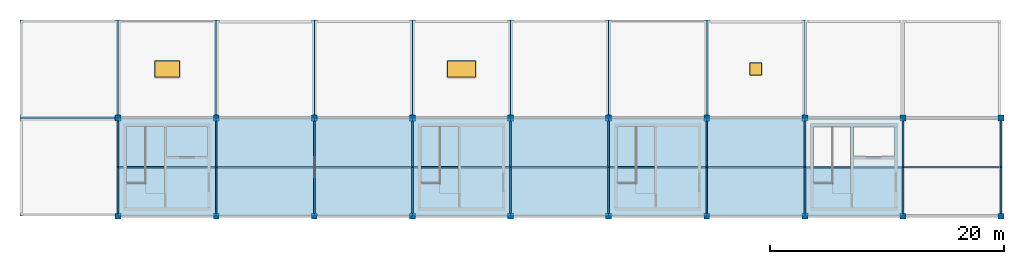
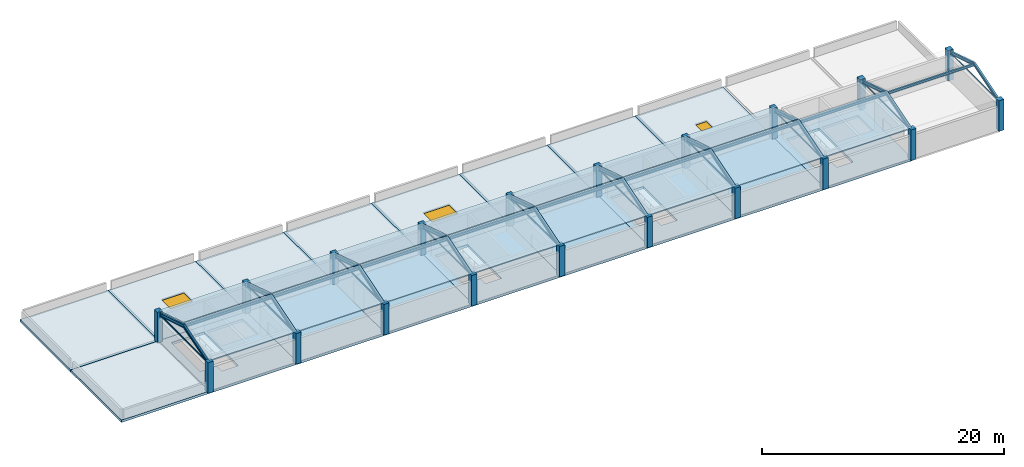
# One storey, part 1 of 4: 32 slabs, 29 beams, 20 columns, 10 members, 3 windows, 3 openings.
"""IFC4 building model written with IfcOpenShell, lengths in metres."""

from ifc_helpers import new_model, si_unit, direction, frame, origin, origin_2d, place, context, subcontext, project, spatial, polyline, rectangle, hollow_circle, i_section, outline, extrude, material, layer, layer_set, material_profile, profile_set, type_object, element, fill, save


model = new_model("IFC4")

# Units and contexts
model_context = context("Model", 3, precision=1e-05, world=origin(), true_north=direction((0.0, 1.0)))
body_context = subcontext(model_context, "Body", "Model", "MODEL_VIEW")
ifc_project = project(units=[si_unit("LENGTHUNIT", "METRE"), si_unit("AREAUNIT", "SQUARE_METRE"), si_unit("VOLUMEUNIT", "CUBIC_METRE"), si_unit("PLANEANGLEUNIT", "RADIAN"), si_unit("MASSUNIT", "GRAM", prefix="KILO")], contexts=[model_context])

# Site, building, storey
site_placement = place(None, origin())
site = spatial("IfcSite", under=ifc_project, at=site_placement, CompositionType="ELEMENT")
building_placement = place(site_placement, origin())
building = spatial("IfcBuilding", under=site, at=building_placement, Name="Porcellanite Civic Hall", CompositionType="ELEMENT")
storey_placement = place(building_placement, frame((0.0, 0.0, 27.719970703125)))
storey = spatial("IfcBuildingStorey", under=building, at=storey_placement, Name="RF", CompositionType="ELEMENT", Elevation=27.719970703125)

# Columns
ifc_material_1 = material(Name="Concrete N50 (50 MPa)", Category="concrete")
ifc_material_profile_1 = material_profile(ifc_material_1, rectangle(XDim=0.5, YDim=0.5, at=origin_2d()), Name="RC-500x500")
ifc_profile_set_1 = profile_set([ifc_material_profile_1], Name="Concrete N50 (50 MPa)")
column_type = type_object("IfcColumnType", Name="COL-500", PredefinedType="COLUMN", material=ifc_profile_set_1)
for number, where, z_axis, x_axis, name in (
    (1, (50.39990234375, 100.800048828125, 0.0), (0.0, 0.0, 1.0), (1.0, 0.0, 0.0), "Column RF 6-12"),
    (2, (50.39990234375, 109.199951171875, 0.0), (0.0, 0.0, 1.0), (1.0, 0.0, 0.0), "Column RF 6-13"),
    (3, (58.800048828125, 100.800048828125, 0.0), (0.0, 0.0, 1.0), (1.0, 0.0, 0.0), "Column RF 7-12"),
    (4, (58.800048828125, 109.199951171875, 0.0), (0.0, 0.0, 1.0), (1.0, 0.0, 0.0), "Column RF 7-13"),
    (5, (67.199951171875, 100.800048828125, 0.0), (0.0, 0.0, 1.0), (1.0, 0.0, 0.0), "Column RF 8-12"),
    (6, (67.199951171875, 109.199951171875, 0.0), (0.0, 0.0, 1.0), (1.0, 0.0, 0.0), "Column RF 8-13"),
    (7, (75.60009765625, 100.800048828125, 0.0), (0.0, 0.0, 1.0), (1.0, 0.0, 0.0), "Column RF 9-12"),
    (8, (75.60009765625, 109.199951171875, 0.0), (0.0, 0.0, 1.0), (1.0, 0.0, 0.0), "Column RF 9-13"),
    (9, (84.0, 100.800048828125, 0.0), (0.0, 0.0, 1.0), (1.0, 0.0, 0.0), "Column RF 10-12"),
    (10, (84.0, 109.199951171875, 0.0), (0.0, 0.0, 1.0), (1.0, 0.0, 0.0), "Column RF 10-13"),
    (11, (92.39990234375, 100.800048828125, 0.0), (0.0, 0.0, 1.0), (1.0, 0.0, 0.0), "Column RF 11-12"),
    (12, (92.39990234375, 109.199951171875, 0.0), (0.0, 0.0, 1.0), (1.0, 0.0, 0.0), "Column RF 11-13"),
    (13, (100.800048828125, 100.800048828125, 0.0), (0.0, 0.0, 1.0), (1.0, 0.0, 0.0), "Column RF 12-12"),
    (14, (100.800048828125, 109.199951171875, 0.0), (0.0, 0.0, 1.0), (1.0, 0.0, 0.0), "Column RF 12-13"),
    (15, (109.199951171875, 100.800048828125, 0.0), (0.0, 0.0, 1.0), (1.0, 0.0, 0.0), "Column RF 13-12"),
    (16, (109.199951171875, 109.199951171875, 0.0), (0.0, 0.0, 1.0), (1.0, 0.0, 0.0), "Column RF 13-13"),
    (17, (117.60009765625, 100.800048828125, 0.0), (0.0, 0.0, 1.0), (1.0, 0.0, 0.0), "Column RF 14-12"),
    (18, (117.60009765625, 109.199951171875, 0.0), (0.0, 0.0, 1.0), (1.0, 0.0, 0.0), "Column RF 14-13"),
    (19, (126.0, 100.800048828125, 0.0), (0.0, 0.0, 1.0), (1.0, 0.0, 0.0), "Column RF 15-12"),
    (20, (126.0, 109.199951171875, 0.0), (0.0, 0.0, 1.0), (1.0, 0.0, 0.0), "Column RF 15-13"),
):
    element("IfcColumn", number, at=place(storey_placement, frame(where, z_axis=z_axis, x_axis=x_axis)), inside=storey, type_object=column_type, Name=name, PredefinedType="COLUMN", context=body_context, shape_type="SweptSolid", body=[
        extrude(rectangle(XDim=0.5, YDim=0.5, at=origin_2d()), origin(), (0.0, 0.0, 1.0), 3.090087890625),
    ])

# Beams
ifc_material_2 = material(Name="Steel Grade 350", Category="steel")
ifc_material_profile_2 = material_profile(ifc_material_2, i_section(OverallWidth=0.1650390625, OverallDepth=0.303955078125, WebThickness=0.006103515625, FlangeThickness=0.01025390625, FilletRadius=0.011474609375, at=origin_2d()), Name="310UB40.4")
ifc_profile_set_2 = profile_set([ifc_material_profile_2], Name="Steel Grade 350")
beam_type_1 = type_object("IfcBeamType", Name="BM-EV2", PredefinedType="BEAM", material=ifc_profile_set_2)
for number, where, z_axis, x_axis, name in (
    (21, (50.39990234375, 100.800048828125, 2.748779296875), (0.0, 0.955234715516, 0.29584901263), (-1.0, 0.0, 0.0), "RF plant south rafter 6"),
    (22, (50.39990234375, 105.0, 4.049560546875), (0.0, 0.955234715516, -0.29584901263), (-1.0, 0.0, 0.0), "RF plant north rafter 6"),
    (23, (58.800048828125, 100.800048828125, 2.748779296875), (0.0, 0.955234715516, 0.29584901263), (-1.0, 0.0, 0.0), "RF plant south rafter 7"),
    (24, (58.800048828125, 105.0, 4.049560546875), (0.0, 0.955234715516, -0.29584901263), (-1.0, 0.0, 0.0), "RF plant north rafter 7"),
    (25, (67.199951171875, 100.800048828125, 2.748779296875), (0.0, 0.955234715516, 0.29584901263), (-1.0, 0.0, 0.0), "RF plant south rafter 8"),
    (26, (67.199951171875, 105.0, 4.049560546875), (0.0, 0.955234715516, -0.29584901263), (-1.0, 0.0, 0.0), "RF plant north rafter 8"),
    (27, (75.60009765625, 100.800048828125, 2.748779296875), (0.0, 0.955234715516, 0.29584901263), (-1.0, 0.0, 0.0), "RF plant south rafter 9"),
    (28, (75.60009765625, 105.0, 4.049560546875), (0.0, 0.955234715516, -0.29584901263), (-1.0, 0.0, 0.0), "RF plant north rafter 9"),
    (29, (84.0, 100.800048828125, 2.748779296875), (0.0, 0.955234715516, 0.29584901263), (-1.0, 0.0, 0.0), "RF plant south rafter 10"),
    (30, (84.0, 105.0, 4.049560546875), (0.0, 0.955234715516, -0.29584901263), (-1.0, 0.0, 0.0), "RF plant north rafter 10"),
    (31, (92.39990234375, 100.800048828125, 2.748779296875), (0.0, 0.955234715516, 0.29584901263), (-1.0, 0.0, 0.0), "RF plant south rafter 11"),
    (32, (92.39990234375, 105.0, 4.049560546875), (0.0, 0.955234715516, -0.29584901263), (-1.0, 0.0, 0.0), "RF plant north rafter 11"),
    (33, (100.800048828125, 100.800048828125, 2.748779296875), (0.0, 0.955234715516, 0.29584901263), (-1.0, 0.0, 0.0), "RF plant south rafter 12"),
    (34, (100.800048828125, 105.0, 4.049560546875), (0.0, 0.955234715516, -0.29584901263), (-1.0, 0.0, 0.0), "RF plant north rafter 12"),
    (35, (109.199951171875, 100.800048828125, 2.748779296875), (0.0, 0.955234715516, 0.29584901263), (-1.0, 0.0, 0.0), "RF plant south rafter 13"),
    (36, (109.199951171875, 105.0, 4.049560546875), (0.0, 0.955234715516, -0.29584901263), (-1.0, 0.0, 0.0), "RF plant north rafter 13"),
    (37, (117.60009765625, 100.800048828125, 2.748779296875), (0.0, 0.955234715516, 0.29584901263), (-1.0, 0.0, 0.0), "RF plant south rafter 14"),
    (38, (117.60009765625, 105.0, 4.049560546875), (0.0, 0.955234715516, -0.29584901263), (-1.0, 0.0, 0.0), "RF plant north rafter 14"),
    (39, (126.0, 100.800048828125, 2.748779296875), (0.0, 0.955234715516, 0.29584901263), (-1.0, 0.0, 0.0), "RF plant south rafter 15"),
    (40, (126.0, 105.0, 4.049560546875), (0.0, 0.955234715516, -0.29584901263), (-1.0, 0.0, 0.0), "RF plant north rafter 15"),
):
    element("IfcBeam", number, at=place(storey_placement, frame(where, z_axis=z_axis, x_axis=x_axis)), inside=storey, type_object=beam_type_1, Name=name, PredefinedType="BEAM", context=body_context, shape_type="SweptSolid", body=[
        extrude(i_section(OverallWidth=0.1650390625, OverallDepth=0.303955078125, WebThickness=0.006103515625, FlangeThickness=0.01025390625, FilletRadius=0.011474609375, at=origin_2d()), origin(), (0.0, 0.0, 1.0), 4.396728515625),
    ])

# Members
ifc_material_3 = material(Name="Steel C350L0", Category="steel")
ifc_material_profile_3 = material_profile(ifc_material_3, hollow_circle(Radius=0.05712890625, WallThickness=0.006103515625, at=origin_2d()), Name="114.3x6.0CHS")
ifc_profile_set_3 = profile_set([ifc_material_profile_3], Name="Steel C350L0")
member_type = type_object("IfcMemberType", Name="BRC-114CHS", PredefinedType="BRACE", material=ifc_profile_set_3)
for number, where, z_axis, x_axis, name in (
    (41, (50.39990234375, 101.06005859375, 2.748779296875), (0.0, 1.0, 0.0), (-1.0, 0.0, 0.0), "RF plant tie 6"),
    (42, (58.800048828125, 101.06005859375, 2.748779296875), (0.0, 1.0, 0.0), (-1.0, 0.0, 0.0), "RF plant tie 7"),
    (43, (67.199951171875, 101.06005859375, 2.748779296875), (0.0, 1.0, 0.0), (-1.0, 0.0, 0.0), "RF plant tie 8"),
    (44, (75.60009765625, 101.06005859375, 2.748779296875), (0.0, 1.0, 0.0), (-1.0, 0.0, 0.0), "RF plant tie 9"),
    (45, (84.0, 101.06005859375, 2.748779296875), (0.0, 1.0, 0.0), (-1.0, 0.0, 0.0), "RF plant tie 10"),
    (46, (92.39990234375, 101.06005859375, 2.748779296875), (0.0, 1.0, 0.0), (-1.0, 0.0, 0.0), "RF plant tie 11"),
    (47, (100.800048828125, 101.06005859375, 2.748779296875), (0.0, 1.0, 0.0), (-1.0, 0.0, 0.0), "RF plant tie 12"),
    (48, (109.199951171875, 101.06005859375, 2.748779296875), (0.0, 1.0, 0.0), (-1.0, 0.0, 0.0), "RF plant tie 13"),
    (49, (117.60009765625, 101.06005859375, 2.748779296875), (0.0, 1.0, 0.0), (-1.0, 0.0, 0.0), "RF plant tie 14"),
    (50, (126.0, 101.06005859375, 2.748779296875), (0.0, 1.0, 0.0), (-1.0, 0.0, 0.0), "RF plant tie 15"),
):
    element("IfcMember", number, at=place(storey_placement, frame(where, z_axis=z_axis, x_axis=x_axis)), inside=storey, type_object=member_type, Name=name, PredefinedType="BRACE", context=body_context, shape_type="SweptSolid", body=[
        extrude(hollow_circle(Radius=0.05712890625, WallThickness=0.006103515625, at=origin_2d()), origin(), (0.0, 0.0, 1.0), 7.8798828125),
    ])

# Beams
ifc_material_4 = material(Name="Steel Grade 350", Category="steel")
ifc_material_profile_4 = material_profile(ifc_material_4, i_section(OverallWidth=0.14599609375, OverallDepth=0.256103515625, WebThickness=0.00634765625, FlangeThickness=0.010986328125, FilletRadius=0.0087890625, at=origin_2d()), Name="250UB37.3")
ifc_profile_set_4 = profile_set([ifc_material_profile_4], Name="Steel Grade 350")
beam_type_2 = type_object("IfcBeamType", Name="LN-250UB37", PredefinedType="LINTEL", material=ifc_profile_set_4)
beam_1_placement = place(storey_placement, frame((50.5, 105.0, 4.029541015625), z_axis=(1.0, 0.0, 0.0), x_axis=(0.0, 1.0, 0.0)))
element("IfcBeam", 51, at=beam_1_placement, inside=storey, type_object=beam_type_2, Name="RF plant ridge beam 6", PredefinedType="LINTEL", context=body_context, shape_type="SweptSolid", body=[
    extrude(i_section(OverallWidth=0.14599609375, OverallDepth=0.256103515625, WebThickness=0.00634765625, FlangeThickness=0.010986328125, FilletRadius=0.0087890625, at=origin_2d()), origin(), (0.0, 0.0, 1.0), 8.199951171875),
])
beam_2_placement = place(storey_placement, frame((58.89990234375, 105.0, 4.029541015625), z_axis=(1.0, 0.0, 0.0), x_axis=(0.0, 1.0, 0.0)))
element("IfcBeam", 52, at=beam_2_placement, inside=storey, type_object=beam_type_2, Name="RF plant ridge beam 7", PredefinedType="LINTEL", context=body_context, shape_type="SweptSolid", body=[
    extrude(i_section(OverallWidth=0.14599609375, OverallDepth=0.256103515625, WebThickness=0.00634765625, FlangeThickness=0.010986328125, FilletRadius=0.0087890625, at=origin_2d()), origin(), (0.0, 0.0, 1.0), 8.2001953125),
])
for number, where, z_axis, x_axis, name in (
    (53, (67.300048828125, 105.0, 4.029541015625), (1.0, 0.0, 0.0), (0.0, 1.0, 0.0), "RF plant ridge beam 8"),
    (54, (75.699951171875, 105.0, 4.029541015625), (1.0, 0.0, 0.0), (0.0, 1.0, 0.0), "RF plant ridge beam 9"),
    (55, (84.10009765625, 105.0, 4.029541015625), (1.0, 0.0, 0.0), (0.0, 1.0, 0.0), "RF plant ridge beam 10"),
    (56, (92.5, 105.0, 4.029541015625), (1.0, 0.0, 0.0), (0.0, 1.0, 0.0), "RF plant ridge beam 11"),
):
    element("IfcBeam", number, at=place(storey_placement, frame(where, z_axis=z_axis, x_axis=x_axis)), inside=storey, type_object=beam_type_2, Name=name, PredefinedType="LINTEL", context=body_context, shape_type="SweptSolid", body=[
        extrude(i_section(OverallWidth=0.14599609375, OverallDepth=0.256103515625, WebThickness=0.00634765625, FlangeThickness=0.010986328125, FilletRadius=0.0087890625, at=origin_2d()), origin(), (0.0, 0.0, 1.0), 8.199951171875),
    ])
beam_3_placement = place(storey_placement, frame((100.89990234375, 105.0, 4.029541015625), z_axis=(1.0, 0.0, 0.0), x_axis=(0.0, 1.0, 0.0)))
element("IfcBeam", 57, at=beam_3_placement, inside=storey, type_object=beam_type_2, Name="RF plant ridge beam 12", PredefinedType="LINTEL", context=body_context, shape_type="SweptSolid", body=[
    extrude(i_section(OverallWidth=0.14599609375, OverallDepth=0.256103515625, WebThickness=0.00634765625, FlangeThickness=0.010986328125, FilletRadius=0.0087890625, at=origin_2d()), origin(), (0.0, 0.0, 1.0), 8.2001953125),
])
for number, where, z_axis, x_axis, name in (
    (58, (109.300048828125, 105.0, 4.029541015625), (1.0, 0.0, 0.0), (0.0, 1.0, 0.0), "RF plant ridge beam 13"),
    (59, (117.699951171875, 105.0, 4.029541015625), (1.0, 0.0, 0.0), (0.0, 1.0, 0.0), "RF plant ridge beam 14"),
):
    element("IfcBeam", number, at=place(storey_placement, frame(where, z_axis=z_axis, x_axis=x_axis)), inside=storey, type_object=beam_type_2, Name=name, PredefinedType="LINTEL", context=body_context, shape_type="SweptSolid", body=[
        extrude(i_section(OverallWidth=0.14599609375, OverallDepth=0.256103515625, WebThickness=0.00634765625, FlangeThickness=0.010986328125, FilletRadius=0.0087890625, at=origin_2d()), origin(), (0.0, 0.0, 1.0), 8.199951171875),
    ])

# Slabs
ifc_material_5 = material(Name="Concrete N40 (40 MPa)", Category="concrete")
ifc_layer_1 = layer(ifc_material_5, 0.25)
ifc_layer_set_1 = layer_set([ifc_layer_1], Name="Concrete N40 (40 MPa)")
slab_type_1 = type_object("IfcSlabType", Name="SL-FL250", PredefinedType="FLOOR", material=ifc_layer_set_1)
slab_1_placement = place(storey_placement, frame((0.0, 0.0, -0.25)))
element("IfcSlab", 60, at=slab_1_placement, inside=storey, type_object=slab_type_1, Name="Slab RF bay 7-13", PredefinedType="FLOOR", context=body_context, shape_type="SweptSolid", body=[
    extrude(outline(polyline([(50.39990234375, 100.800048828125), (58.800048828125, 100.800048828125), (58.800048828125, 109.199951171875), (50.39990234375, 109.199951171875), (50.39990234375, 100.800048828125)]), holes=[polyline([(51.179931640625, 103.64990234375), (52.760009765625, 103.64990234375), (52.760009765625, 102.800048828125), (54.320068359375, 102.800048828125), (54.320068359375, 108.419921875), (51.179931640625, 108.419921875), (51.179931640625, 103.64990234375)]), polyline([(54.56005859375, 105.93994140625), (58.02001953125, 105.93994140625), (58.02001953125, 108.419921875), (54.56005859375, 108.419921875), (54.56005859375, 105.93994140625)])]), origin(), (0.0, 0.0, 1.0), 0.25),
])
slab_2_placement = place(storey_placement, frame((0.0, 0.0, -0.25)))
element("IfcSlab", 61, at=slab_2_placement, inside=storey, type_object=slab_type_1, Name="Slab RF bay 8-13", PredefinedType="FLOOR", context=body_context, shape_type="SweptSolid", body=[
    extrude(outline(polyline([(58.800048828125, 100.800048828125), (67.199951171875, 100.800048828125), (67.199951171875, 109.199951171875), (58.800048828125, 109.199951171875), (58.800048828125, 100.800048828125)])), origin(), (0.0, 0.0, 1.0), 0.25),
])
slab_3_placement = place(storey_placement, frame((0.0, 0.0, -0.25)))
element("IfcSlab", 62, at=slab_3_placement, inside=storey, type_object=slab_type_1, Name="Slab RF bay 9-13", PredefinedType="FLOOR", context=body_context, shape_type="SweptSolid", body=[
    extrude(outline(polyline([(67.199951171875, 100.800048828125), (75.60009765625, 100.800048828125), (75.60009765625, 109.199951171875), (67.199951171875, 109.199951171875), (67.199951171875, 100.800048828125)])), origin(), (0.0, 0.0, 1.0), 0.25),
])
slab_4_placement = place(storey_placement, frame((0.0, 0.0, -0.25)))
element("IfcSlab", 63, at=slab_4_placement, inside=storey, type_object=slab_type_1, Name="Slab RF bay 10-13", PredefinedType="FLOOR", context=body_context, shape_type="SweptSolid", body=[
    extrude(outline(polyline([(75.60009765625, 100.800048828125), (84.0, 100.800048828125), (84.0, 109.199951171875), (75.60009765625, 109.199951171875), (75.60009765625, 100.800048828125)]), holes=[polyline([(76.3798828125, 103.64990234375), (77.9599609375, 103.64990234375), (77.9599609375, 102.800048828125), (79.52001953125, 102.800048828125), (79.52001953125, 108.419921875), (76.3798828125, 108.419921875), (76.3798828125, 103.64990234375)])]), origin(), (0.0, 0.0, 1.0), 0.25),
])
slab_5_placement = place(storey_placement, frame((0.0, 0.0, -0.25)))
element("IfcSlab", 64, at=slab_5_placement, inside=storey, type_object=slab_type_1, Name="Slab RF bay 11-13", PredefinedType="FLOOR", context=body_context, shape_type="SweptSolid", body=[
    extrude(outline(polyline([(84.0, 100.800048828125), (92.39990234375, 100.800048828125), (92.39990234375, 109.199951171875), (84.0, 109.199951171875), (84.0, 100.800048828125)])), origin(), (0.0, 0.0, 1.0), 0.25),
])
slab_6_placement = place(storey_placement, frame((0.0, 0.0, -0.25)))
element("IfcSlab", 65, at=slab_6_placement, inside=storey, type_object=slab_type_1, Name="Slab RF bay 12-13", PredefinedType="FLOOR", context=body_context, shape_type="SweptSolid", body=[
    extrude(outline(polyline([(92.39990234375, 100.800048828125), (100.800048828125, 100.800048828125), (100.800048828125, 109.199951171875), (92.39990234375, 109.199951171875), (92.39990234375, 100.800048828125)]), holes=[polyline([(93.179931640625, 103.64990234375), (94.760009765625, 103.64990234375), (94.760009765625, 102.800048828125), (96.320068359375, 102.800048828125), (96.320068359375, 108.419921875), (93.179931640625, 108.419921875), (93.179931640625, 103.64990234375)])]), origin(), (0.0, 0.0, 1.0), 0.25),
])
slab_7_placement = place(storey_placement, frame((0.0, 0.0, -0.25)))
element("IfcSlab", 66, at=slab_7_placement, inside=storey, type_object=slab_type_1, Name="Slab RF bay 13-13", PredefinedType="FLOOR", context=body_context, shape_type="SweptSolid", body=[
    extrude(outline(polyline([(100.800048828125, 100.800048828125), (109.199951171875, 100.800048828125), (109.199951171875, 109.199951171875), (100.800048828125, 109.199951171875), (100.800048828125, 100.800048828125)])), origin(), (0.0, 0.0, 1.0), 0.25),
])
slab_8_placement = place(storey_placement, frame((0.0, 0.0, -0.25)))
element("IfcSlab", 67, at=slab_8_placement, inside=storey, type_object=slab_type_1, Name="Slab RF bay 14-13", PredefinedType="FLOOR", context=body_context, shape_type="SweptSolid", body=[
    extrude(outline(polyline([(109.199951171875, 100.800048828125), (117.60009765625, 100.800048828125), (117.60009765625, 109.199951171875), (109.199951171875, 109.199951171875), (109.199951171875, 100.800048828125)]), holes=[polyline([(109.97998046875, 103.64990234375), (111.56005859375, 103.64990234375), (111.56005859375, 102.800048828125), (113.1201171875, 102.800048828125), (113.1201171875, 108.419921875), (109.97998046875, 108.419921875), (109.97998046875, 103.64990234375)]), polyline([(113.360107421875, 105.93994140625), (116.820068359375, 105.93994140625), (116.820068359375, 108.419921875), (113.360107421875, 108.419921875), (113.360107421875, 105.93994140625)])]), origin(), (0.0, 0.0, 1.0), 0.25),
])
ifc_material_6 = material(Name="Concrete N40 (40 MPa)", Category="concrete")
ifc_layer_2 = layer(ifc_material_6, 0.25)
ifc_layer_set_2 = layer_set([ifc_layer_2], Name="Concrete N40 (40 MPa)")
slab_type_2 = type_object("IfcSlabType", Name="SL-RF250", PredefinedType="ROOF", material=ifc_layer_set_2)
slab_9_placement = place(storey_placement, frame((0.0, 0.0, -0.25)))
element("IfcSlab", 68, at=slab_9_placement, inside=storey, type_object=slab_type_2, Name="Roof slab RF 6-13", PredefinedType="ROOF", context=body_context, shape_type="SweptSolid", body=[
    extrude(outline(polyline([(42.0, 100.800048828125), (50.39990234375, 100.800048828125), (50.39990234375, 109.199951171875), (42.0, 109.199951171875), (42.0, 100.800048828125)])), origin(), (0.0, 0.0, 1.0), 0.25),
])
slab_10_placement = place(storey_placement, frame((0.0, 0.0, -0.25)))
element("IfcSlab", 69, at=slab_10_placement, inside=storey, type_object=slab_type_2, Name="Roof slab RF 6-14", PredefinedType="ROOF", context=body_context, shape_type="SweptSolid", body=[
    extrude(outline(polyline([(42.0, 109.199951171875), (50.39990234375, 109.199951171875), (50.39990234375, 117.60009765625), (42.0, 117.60009765625), (42.0, 109.199951171875)])), origin(), (0.0, 0.0, 1.0), 0.25),
])

# Slab, opening, window
slab_11_placement = place(storey_placement, frame((0.0, 0.0, -0.25)))
slab_11 = element("IfcSlab", 70, at=slab_11_placement, inside=storey, type_object=slab_type_2, Name="Roof slab RF 7-14", PredefinedType="ROOF", context=body_context, shape_type="SweptSolid", body=[
    extrude(outline(polyline([(50.39990234375, 109.199951171875), (58.800048828125, 109.199951171875), (58.800048828125, 117.60009765625), (50.39990234375, 117.60009765625), (50.39990234375, 109.199951171875)])), origin(), (0.0, 0.0, 1.0), 0.25),
])
opening_1_placement = place(slab_11_placement, frame((54.60009765625, 113.39990234375, 0.0)))
opening_1 = element("IfcOpeningElement", 71, at=opening_1_placement, cuts=slab_11, Name="Opening SK4", PredefinedType="OPENING", context=body_context, shape_type="SweptSolid", body=[
    extrude(rectangle(XDim=2.10009765625, YDim=1.39990234375, at=origin_2d()), origin(), (0.0, 0.0, 1.0), 0.25),
])
ifc_material_7 = material(Name="Cyclone laminated low-E glazing in anodised aluminium frame", Category="aluminium")
window_type_1 = type_object("IfcWindowType", Name="SK-04", PartitioningType="DOUBLE_PANEL_VERTICAL", PredefinedType="SKYLIGHT", material=ifc_material_7)
window_1_placement = place(opening_1_placement, frame((0.0, 0.0, 0.199951171875)))
window_1 = element("IfcWindow", 72, at=window_1_placement, inside=storey, type_object=window_type_1, Name="Roof skylight SK4 RF 7-14", OverallHeight=1.39990234375, OverallWidth=2.10009765625, PartitioningType="SINGLE_PANEL", PredefinedType="SKYLIGHT", context=body_context, shape_type="SweptSolid", body=[
    extrude(rectangle(XDim=2.10009765625, YDim=1.39990234375, at=origin_2d()), origin(), (0.0, 0.0, 1.0), 0.050048828125),
])
fill(opening_1, window_1)

# Slabs
slab_12_placement = place(storey_placement, frame((0.0, 0.0, -0.25)))
element("IfcSlab", 73, at=slab_12_placement, inside=storey, type_object=slab_type_2, Name="Roof slab RF 8-14", PredefinedType="ROOF", context=body_context, shape_type="SweptSolid", body=[
    extrude(outline(polyline([(58.800048828125, 109.199951171875), (67.199951171875, 109.199951171875), (67.199951171875, 117.60009765625), (58.800048828125, 117.60009765625), (58.800048828125, 109.199951171875)])), origin(), (0.0, 0.0, 1.0), 0.25),
])
slab_13_placement = place(storey_placement, frame((0.0, 0.0, -0.25)))
element("IfcSlab", 74, at=slab_13_placement, inside=storey, type_object=slab_type_2, Name="Roof slab RF 9-14", PredefinedType="ROOF", context=body_context, shape_type="SweptSolid", body=[
    extrude(outline(polyline([(67.199951171875, 109.199951171875), (75.60009765625, 109.199951171875), (75.60009765625, 117.60009765625), (67.199951171875, 117.60009765625), (67.199951171875, 109.199951171875)])), origin(), (0.0, 0.0, 1.0), 0.25),
])

# Slab, opening, window
slab_14_placement = place(storey_placement, frame((0.0, 0.0, -0.25)))
slab_14 = element("IfcSlab", 75, at=slab_14_placement, inside=storey, type_object=slab_type_2, Name="Roof slab RF 10-14", PredefinedType="ROOF", context=body_context, shape_type="SweptSolid", body=[
    extrude(outline(polyline([(75.60009765625, 109.199951171875), (84.0, 109.199951171875), (84.0, 117.60009765625), (75.60009765625, 117.60009765625), (75.60009765625, 109.199951171875)])), origin(), (0.0, 0.0, 1.0), 0.25),
])
opening_2_placement = place(slab_14_placement, frame((79.800048828125, 113.39990234375, 0.0)))
opening_2 = element("IfcOpeningElement", 76, at=opening_2_placement, cuts=slab_14, Name="Opening SK5", PredefinedType="OPENING", context=body_context, shape_type="SweptSolid", body=[
    extrude(rectangle(XDim=2.39990234375, YDim=1.39990234375, at=origin_2d()), origin(), (0.0, 0.0, 1.0), 0.25),
])
ifc_material_8 = material(Name="Cyclone laminated low-E glazing in anodised aluminium frame", Category="aluminium")
window_type_2 = type_object("IfcWindowType", Name="SK-05", PartitioningType="DOUBLE_PANEL_VERTICAL", PredefinedType="SKYLIGHT", material=ifc_material_8)
window_2_placement = place(opening_2_placement, frame((0.0, 0.0, 0.199951171875)))
window_2 = element("IfcWindow", 77, at=window_2_placement, inside=storey, type_object=window_type_2, Name="Roof skylight SK5 RF 10-14", OverallHeight=1.39990234375, OverallWidth=2.39990234375, PartitioningType="SINGLE_PANEL", PredefinedType="SKYLIGHT", context=body_context, shape_type="SweptSolid", body=[
    extrude(rectangle(XDim=2.39990234375, YDim=1.39990234375, at=origin_2d()), origin(), (0.0, 0.0, 1.0), 0.050048828125),
])
fill(opening_2, window_2)

# Slabs
slab_15_placement = place(storey_placement, frame((0.0, 0.0, -0.25)))
element("IfcSlab", 78, at=slab_15_placement, inside=storey, type_object=slab_type_2, Name="Roof slab RF 11-14", PredefinedType="ROOF", context=body_context, shape_type="SweptSolid", body=[
    extrude(outline(polyline([(84.0, 109.199951171875), (92.39990234375, 109.199951171875), (92.39990234375, 117.60009765625), (84.0, 117.60009765625), (84.0, 109.199951171875)])), origin(), (0.0, 0.0, 1.0), 0.25),
])
slab_16_placement = place(storey_placement, frame((0.0, 0.0, -0.25)))
element("IfcSlab", 79, at=slab_16_placement, inside=storey, type_object=slab_type_2, Name="Roof slab RF 12-14", PredefinedType="ROOF", context=body_context, shape_type="SweptSolid", body=[
    extrude(outline(polyline([(92.39990234375, 109.199951171875), (100.800048828125, 109.199951171875), (100.800048828125, 117.60009765625), (92.39990234375, 117.60009765625), (92.39990234375, 109.199951171875)])), origin(), (0.0, 0.0, 1.0), 0.25),
])

# Slab, opening, window
slab_17_placement = place(storey_placement, frame((0.0, 0.0, -0.25)))
slab_17 = element("IfcSlab", 80, at=slab_17_placement, inside=storey, type_object=slab_type_2, Name="Roof slab RF 13-14", PredefinedType="ROOF", context=body_context, shape_type="SweptSolid", body=[
    extrude(outline(polyline([(100.800048828125, 109.199951171875), (109.199951171875, 109.199951171875), (109.199951171875, 117.60009765625), (100.800048828125, 117.60009765625), (100.800048828125, 109.199951171875)])), origin(), (0.0, 0.0, 1.0), 0.25),
])
opening_3_placement = place(slab_17_placement, frame((105.0, 113.39990234375, 0.0)))
opening_3 = element("IfcOpeningElement", 81, at=opening_3_placement, cuts=slab_17, Name="Opening SK6", PredefinedType="OPENING", context=body_context, shape_type="SweptSolid", body=[
    extrude(rectangle(XDim=1.0, YDim=1.0, at=origin_2d()), origin(), (0.0, 0.0, 1.0), 0.25),
])
ifc_material_9 = material(Name="Cyclone laminated low-E glazing in anodised aluminium frame", Category="aluminium")
window_type_3 = type_object("IfcWindowType", Name="SK-06", PartitioningType="SINGLE_PANEL", PredefinedType="SKYLIGHT", material=ifc_material_9)
window_3_placement = place(opening_3_placement, frame((0.0, 0.0, 0.199951171875)))
window_3 = element("IfcWindow", 82, at=window_3_placement, inside=storey, type_object=window_type_3, Name="Roof skylight SK6 RF 13-14", OverallHeight=1.0, OverallWidth=1.0, PartitioningType="SINGLE_PANEL", PredefinedType="SKYLIGHT", context=body_context, shape_type="SweptSolid", body=[
    extrude(rectangle(XDim=1.0, YDim=1.0, at=origin_2d()), origin(), (0.0, 0.0, 1.0), 0.050048828125),
])
fill(opening_3, window_3)

# Slabs
ifc_material_10 = material(Name="Concrete N40 (40 MPa)", Category="concrete")
ifc_layer_3 = layer(ifc_material_10, 0.14990234375)
ifc_layer_set_3 = layer_set([ifc_layer_3], Name="Concrete N40 (40 MPa)")
slab_type_3 = type_object("IfcSlabType", Name="SL-SAW150", PredefinedType="ROOF", material=ifc_layer_set_3)
for number, where, z_axis, x_axis, name in (
    (83, (50.39990234375, 100.800048828125, 3.090087890625), (0.0, -0.295863779045, 0.955230142033), (1.0, 0.0, 0.0), "RF plant roof south 6"),
    (84, (50.39990234375, 105.034912109375, 4.380126953125), (0.0, 0.295863779045, 0.955230142033), (1.0, 0.0, 0.0), "RF plant roof north 6"),
):
    element("IfcSlab", number, at=place(storey_placement, frame(where, z_axis=z_axis, x_axis=x_axis)), inside=storey, type_object=slab_type_3, Name=name, PredefinedType="ROOF", context=body_context, shape_type="SweptSolid", body=[
        extrude(outline(polyline([(0.0, 0.0), (8.400146484375, 0.0), (8.400146484375, 4.360246687393588), (0.0, 4.360246687393588), (0.0, 0.0)])), origin(), (0.0, 0.0, -1.0), 0.14990234375),
    ])
for number, where, z_axis, x_axis, name in (
    (85, (58.800048828125, 100.800048828125, 3.090087890625), (0.0, -0.295863779045, 0.955230142033), (1.0, 0.0, 0.0), "RF plant roof south 7"),
    (86, (58.800048828125, 105.034912109375, 4.380126953125), (0.0, 0.295863779045, 0.955230142033), (1.0, 0.0, 0.0), "RF plant roof north 7"),
):
    element("IfcSlab", number, at=place(storey_placement, frame(where, z_axis=z_axis, x_axis=x_axis)), inside=storey, type_object=slab_type_3, Name=name, PredefinedType="ROOF", context=body_context, shape_type="SweptSolid", body=[
        extrude(outline(polyline([(0.0, 0.0), (8.39990234375, 0.0), (8.39990234375, 4.360246687393588), (0.0, 4.360246687393588), (0.0, 0.0)])), origin(), (0.0, 0.0, -1.0), 0.14990234375),
    ])
for number, where, z_axis, x_axis, name in (
    (87, (67.199951171875, 100.800048828125, 3.090087890625), (0.0, -0.295863779045, 0.955230142033), (1.0, 0.0, 0.0), "RF plant roof south 8"),
    (88, (67.199951171875, 105.034912109375, 4.380126953125), (0.0, 0.295863779045, 0.955230142033), (1.0, 0.0, 0.0), "RF plant roof north 8"),
):
    element("IfcSlab", number, at=place(storey_placement, frame(where, z_axis=z_axis, x_axis=x_axis)), inside=storey, type_object=slab_type_3, Name=name, PredefinedType="ROOF", context=body_context, shape_type="SweptSolid", body=[
        extrude(outline(polyline([(0.0, 0.0), (8.400146484375, 0.0), (8.400146484375, 4.360246687393588), (0.0, 4.360246687393588), (0.0, 0.0)])), origin(), (0.0, 0.0, -1.0), 0.14990234375),
    ])
for number, where, z_axis, x_axis, name in (
    (89, (75.60009765625, 100.800048828125, 3.090087890625), (0.0, -0.295863779045, 0.955230142033), (1.0, 0.0, 0.0), "RF plant roof south 9"),
    (90, (75.60009765625, 105.034912109375, 4.380126953125), (0.0, 0.295863779045, 0.955230142033), (1.0, 0.0, 0.0), "RF plant roof north 9"),
    (91, (84.0, 100.800048828125, 3.090087890625), (0.0, -0.295863779045, 0.955230142033), (1.0, 0.0, 0.0), "RF plant roof south 10"),
    (92, (84.0, 105.034912109375, 4.380126953125), (0.0, 0.295863779045, 0.955230142033), (1.0, 0.0, 0.0), "RF plant roof north 10"),
):
    element("IfcSlab", number, at=place(storey_placement, frame(where, z_axis=z_axis, x_axis=x_axis)), inside=storey, type_object=slab_type_3, Name=name, PredefinedType="ROOF", context=body_context, shape_type="SweptSolid", body=[
        extrude(outline(polyline([(0.0, 0.0), (8.39990234375, 0.0), (8.39990234375, 4.360246687393588), (0.0, 4.360246687393588), (0.0, 0.0)])), origin(), (0.0, 0.0, -1.0), 0.14990234375),
    ])
for number, where, z_axis, x_axis, name in (
    (93, (92.39990234375, 100.800048828125, 3.090087890625), (0.0, -0.295863779045, 0.955230142033), (1.0, 0.0, 0.0), "RF plant roof south 11"),
    (94, (92.39990234375, 105.034912109375, 4.380126953125), (0.0, 0.295863779045, 0.955230142033), (1.0, 0.0, 0.0), "RF plant roof north 11"),
):
    element("IfcSlab", number, at=place(storey_placement, frame(where, z_axis=z_axis, x_axis=x_axis)), inside=storey, type_object=slab_type_3, Name=name, PredefinedType="ROOF", context=body_context, shape_type="SweptSolid", body=[
        extrude(outline(polyline([(0.0, 0.0), (8.400146484375, 0.0), (8.400146484375, 4.360246687393588), (0.0, 4.360246687393588), (0.0, 0.0)])), origin(), (0.0, 0.0, -1.0), 0.14990234375),
    ])
for number, where, z_axis, x_axis, name in (
    (95, (100.800048828125, 100.800048828125, 3.090087890625), (0.0, -0.295863779045, 0.955230142033), (1.0, 0.0, 0.0), "RF plant roof south 12"),
    (96, (100.800048828125, 105.034912109375, 4.380126953125), (0.0, 0.295863779045, 0.955230142033), (1.0, 0.0, 0.0), "RF plant roof north 12"),
):
    element("IfcSlab", number, at=place(storey_placement, frame(where, z_axis=z_axis, x_axis=x_axis)), inside=storey, type_object=slab_type_3, Name=name, PredefinedType="ROOF", context=body_context, shape_type="SweptSolid", body=[
        extrude(outline(polyline([(0.0, 0.0), (8.39990234375, 0.0), (8.39990234375, 4.360246687393588), (0.0, 4.360246687393588), (0.0, 0.0)])), origin(), (0.0, 0.0, -1.0), 0.14990234375),
    ])
slab_18_placement = place(storey_placement, frame((109.199951171875, 100.800048828125, 3.090087890625), z_axis=(0.0, -0.295863779045, 0.955230142033), x_axis=(1.0, 0.0, 0.0)))
element("IfcSlab", 97, at=slab_18_placement, inside=storey, type_object=slab_type_3, Name="RF plant roof south 13", PredefinedType="ROOF", context=body_context, shape_type="SweptSolid", body=[
    extrude(outline(polyline([(0.0, 0.0), (8.400146484375, 0.0), (8.400146484375, 4.360246687393588), (0.0, 4.360246687393588), (0.0, 0.0)])), origin(), (0.0, 0.0, -1.0), 0.14990234375),
])

save(model, "model.ifc")
